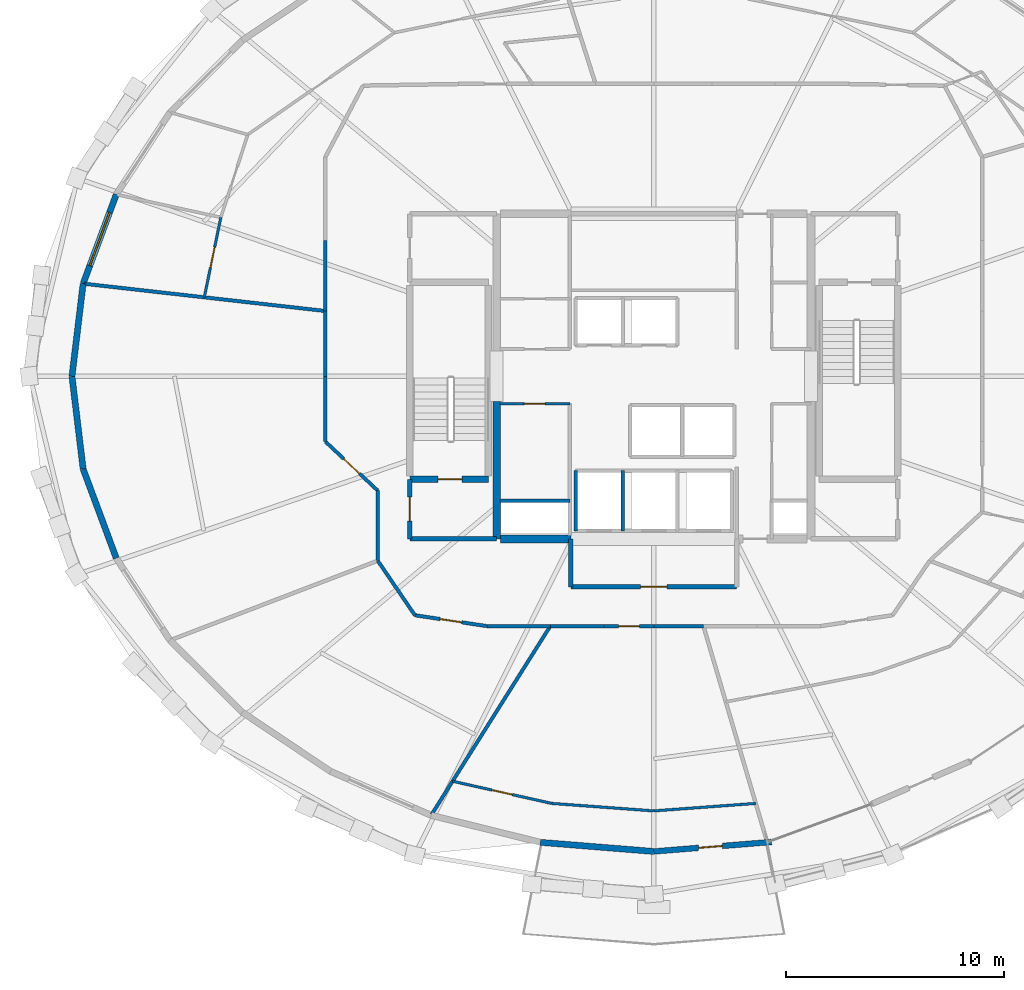
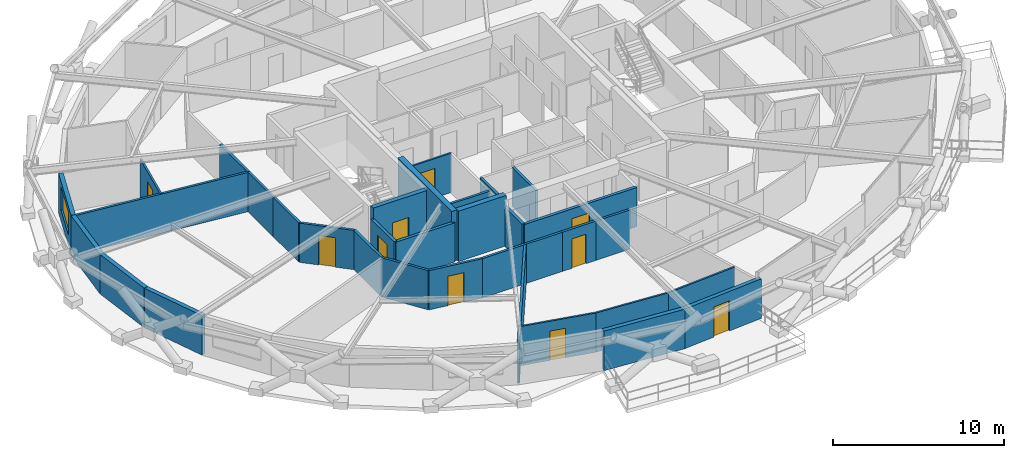
# One storey, part 7 of 12: 34 walls, 10 doors, 1 window, 11 openings.
"""IFC4 building model written with IfcOpenShell, lengths in metres."""

from ifc_helpers import new_model, si_unit, direction, frame, frame_2d, origin, place, context, subcontext, project, spatial, rectangle, extrude, material, layer, layer_set, type_object, element, fill, save


model = new_model("IFC4")

# Units and contexts
model_context = context("Model", 3, precision=1e-05, world=origin(), true_north=direction((0.0, 1.0)))
body_context = subcontext(model_context, "Body", "Model", "MODEL_VIEW")
ifc_project = project(units=[si_unit("LENGTHUNIT", "METRE"), si_unit("AREAUNIT", "SQUARE_METRE"), si_unit("VOLUMEUNIT", "CUBIC_METRE"), si_unit("PLANEANGLEUNIT", "RADIAN"), si_unit("MASSUNIT", "GRAM", prefix="KILO")], contexts=[model_context])

# Site, building, storey
site_placement = place(None, origin())
site = spatial("IfcSite", under=ifc_project, at=site_placement, CompositionType="ELEMENT")
building_placement = place(site_placement, origin())
building = spatial("IfcBuilding", under=site, at=building_placement, Name="Veldorina Hangang Commons", CompositionType="ELEMENT")
storey_placement = place(building_placement, frame((0.0, 0.0, 124.39990234375)))
storey = spatial("IfcBuildingStorey", under=building, at=storey_placement, Name="L31", CompositionType="ELEMENT", Elevation=124.39990234375)

# Walls
ifc_material_1 = material(Name="Concrete C60/75", Category="concrete")
ifc_layer_1 = layer(ifc_material_1, 0.360107421875)
ifc_layer_set_1 = layer_set([ifc_layer_1], Name="Concrete C60/75")
wall_type_1 = type_object("IfcWallType", Name="CW-RC360-C60", PredefinedType="SHEAR", material=ifc_layer_set_1)
wall_1_placement = place(storey_placement, frame((24.800048828125, 16.550048828125, 0.0), z_axis=(0.0, 0.0, 1.0), x_axis=(0.0, 1.0, 0.0)))
element("IfcWall", 1, at=wall_1_placement, inside=storey, type_object=wall_type_1, Name="L31 W south core shear wall", PredefinedType="SHEAR", context=body_context, shape_type="SweptSolid", body=[
    extrude(rectangle(XDim=6.300048828125, YDim=0.360107421875, at=frame_2d((3.14990234375, 0.0))), origin(), (0.0, 0.0, 1.0), 3.60009765625),
])
wall_2_placement = place(storey_placement, frame((24.97998046875, 16.550048828125, 0.0), z_axis=(0.0, 0.0, 1.0), x_axis=(1.0, 0.0, 0.0)))
element("IfcWall", 2, at=wall_2_placement, inside=storey, type_object=wall_type_1, Name="L31 south-west core shear wall", PredefinedType="SHEAR", context=body_context, shape_type="SweptSolid", body=[
    extrude(rectangle(XDim=3.219970703125, YDim=0.360107421875, at=frame_2d((1.60986328125, 0.0))), origin(), (0.0, 0.0, 1.0), 3.60009765625),
])

# Wall, opening, door
ifc_material_2 = material(Name="Stone Roman Travertine", Category="masonry")
ifc_layer_2 = layer(ifc_material_2, 0.260009765625)
ifc_layer_set_2 = layer_set([ifc_layer_2], Name="Stone Roman Travertine")
wall_type_2 = type_object("IfcWallType", Name="EW-LOGGIA-260", PredefinedType="STANDARD", material=ifc_layer_set_2)
wall_3_placement = place(storey_placement, frame((32.0, 2.221435546875, 0.0), z_axis=(0.0, 0.0, 1.0), x_axis=(0.996781807787, 0.080162507846, 0.0)))
wall_3 = element("IfcWall", 3, at=wall_3_placement, inside=storey, type_object=wall_type_2, Name="L31 sky-garden loggia portal wall 24", PredefinedType="STANDARD", context=body_context, shape_type="SweptSolid", body=[
    extrude(rectangle(XDim=5.41796875, YDim=0.260009765625, at=frame_2d((2.708984375, 0.0))), origin(), (0.0, 0.0, 1.0), 2.820068359375),
])
opening_1_placement = place(wall_3_placement, frame((2.0595703125, 0.0, 0.0)))
opening_1 = element("IfcOpeningElement", 4, at=opening_1_placement, cuts=wall_3, Name="Opening BD-1100", PredefinedType="OPENING", context=body_context, shape_type="SweptSolid", body=[
    extrude(rectangle(XDim=1.10009765625, YDim=2.14990234375, at=frame_2d((0.550048828125, 1.074951171875))), frame((0.0, 0.14013671875, 0.0), z_axis=(0.0, -1.0, 0.0), x_axis=(1.0, 0.0, 0.0)), (0.0, 0.0, 1.0), 0.280029296875),
])
ifc_material_3 = material(Name="Glass Thermal Aluminium Frame", Category="aluminium")
door_type_1 = type_object("IfcDoorType", Name="DR-EXT-BAL1100", OperationType="SINGLE_SWING_RIGHT", PredefinedType="DOOR", material=ifc_material_3)
door_1_placement = place(opening_1_placement, origin())
door_1 = element("IfcDoor", 5, at=door_1_placement, inside=storey, type_object=door_type_1, Name="L31 tree balcony glazed exterior door 24", OperationType="SINGLE_SWING_LEFT", OverallHeight=2.14990234375, OverallWidth=1.10009765625, PredefinedType="DOOR", context=body_context, shape_type="SweptSolid", body=[
    extrude(rectangle(XDim=1.10009765625, YDim=2.14990234375, at=frame_2d((0.550048828125, 1.074951171875))), frame((0.0, 0.02490234375, 0.0), z_axis=(0.0, -1.0, 0.0), x_axis=(1.0, 0.0, 0.0)), (0.0, 0.0, 1.0), 0.050048828125),
])
fill(opening_1, door_1)

# Wall, opening, window
ifc_layer_3 = layer(ifc_material_2, 0.280029296875)
ifc_layer_set_3 = layer_set([ifc_layer_3], Name="Stone Roman Travertine")
wall_type_3 = type_object("IfcWallType", Name="EW-TRAV-280", PredefinedType="STANDARD", material=ifc_layer_set_3)
wall_4_placement = place(storey_placement, frame((7.36328125, 32.334228515625, 0.0), z_axis=(0.0, 0.0, 1.0), x_axis=(-0.348211846364, -0.937415868253, 0.0)))
wall_4 = element("IfcWall", 6, at=wall_4_placement, inside=storey, type_object=wall_type_3, Name="L31 travertine facade wall 14", PredefinedType="STANDARD", context=body_context, shape_type="SweptSolid", body=[
    extrude(rectangle(XDim=4.358154296875, YDim=0.280029296875, at=frame_2d((2.17919921875, 0.0))), origin(), (0.0, 0.0, 1.0), 2.820068359375),
])
opening_2_placement = place(wall_4_placement, frame((0.879150390625, 0.0, 0.800048828125)))
opening_2 = element("IfcOpeningElement", 7, at=opening_2_placement, cuts=wall_4, Name="Opening W-02", PredefinedType="OPENING", context=body_context, shape_type="SweptSolid", body=[
    extrude(rectangle(XDim=2.60009765625, YDim=1.64990234375, at=frame_2d((1.300048828125, 0.824951171875))), frame((0.0, 0.14990234375, 0.0), z_axis=(0.0, -1.0, 0.0), x_axis=(1.0, 0.0, 0.0)), (0.0, 0.0, 1.0), 0.300048828125),
])
ifc_material_4 = material(Name="Glass Low-E Triple IGU", Category="glass")
window_type = type_object("IfcWindowType", Name="WIN-TWR-2600", PartitioningType="SINGLE_PANEL", PredefinedType="WINDOW", material=ifc_material_4)
window_placement = place(opening_2_placement, origin())
window = element("IfcWindow", 8, at=window_placement, inside=storey, type_object=window_type, Name="L31 facade window 14", OverallHeight=1.64990234375, OverallWidth=2.60009765625, PartitioningType="SINGLE_PANEL", PredefinedType="WINDOW", context=body_context, shape_type="SweptSolid", body=[
    extrude(rectangle(XDim=2.60009765625, YDim=1.64990234375, at=frame_2d((1.300048828125, 0.824951171875))), frame((0.0, 0.030029296875, 0.0), z_axis=(0.0, -1.0, 0.0), x_axis=(1.0, 0.0, 0.0)), (0.0, 0.0, 1.0), 0.06005859375),
])
fill(opening_2, window)

# Walls
for number, where, z_axis, x_axis, name in (
    (9, (5.845703125, 28.248779296875, 0.0), (0.0, 0.0, 1.0), (-0.119687341708, -0.992811633813, 0.0), "L31 travertine facade wall 15"),
    (10, (5.33349609375, 24.0, 0.0), (0.0, 0.0, 1.0), (0.119687341708, -0.992811633813, 0.0), "L31 travertine facade wall 16"),
):
    element("IfcWall", number, at=place(storey_placement, frame(where, z_axis=z_axis, x_axis=x_axis)), inside=storey, type_object=wall_type_3, Name=name, PredefinedType="STANDARD", context=body_context, shape_type="SweptSolid", body=[
        extrude(rectangle(XDim=4.279541015625, YDim=0.280029296875, at=frame_2d((2.1396484375, 0.0))), origin(), (0.0, 0.0, 1.0), 2.820068359375),
    ])
wall_5_placement = place(storey_placement, frame((5.845703125, 19.751220703125, 0.0), z_axis=(0.0, 0.0, 1.0), x_axis=(0.348211846364, -0.937415868253, 0.0)))
element("IfcWall", 11, at=wall_5_placement, inside=storey, type_object=wall_type_3, Name="L31 travertine facade wall 17", PredefinedType="STANDARD", context=body_context, shape_type="SweptSolid", body=[
    extrude(rectangle(XDim=4.358154296875, YDim=0.280029296875, at=frame_2d((2.17919921875, 0.0))), origin(), (0.0, 0.0, 1.0), 2.820068359375),
])
wall_6_placement = place(storey_placement, frame((26.797607421875, 2.639892578125, 0.0), z_axis=(0.0, 0.0, 1.0), x_axis=(0.996780678479, -0.080176549013, 0.0)))
element("IfcWall", 12, at=wall_6_placement, inside=storey, type_object=wall_type_3, Name="L31 travertine facade wall 23", PredefinedType="STANDARD", context=body_context, shape_type="SweptSolid", body=[
    extrude(rectangle(XDim=5.21923828125, YDim=0.280029296875, at=frame_2d((2.609619140625, 0.0))), origin(), (0.0, 0.0, 1.0), 2.820068359375),
])

# Wall, opening, door
ifc_material_5 = material(Name="Concrete C50/60", Category="concrete")
ifc_layer_4 = layer(ifc_material_5, 0.300048828125)
ifc_layer_set_4 = layer_set([ifc_layer_4], Name="Concrete C50/60")
wall_type_4 = type_object("IfcWallType", Name="SW-STAIR-300", PredefinedType="SHEAR", material=ifc_layer_set_4)
wall_7_placement = place(storey_placement, frame((20.820068359375, 19.280029296875, 0.0), z_axis=(0.0, 0.0, 1.0), x_axis=(1.0, 0.0, 0.0)))
wall_7 = element("IfcWall", 13, at=wall_7_placement, inside=storey, type_object=wall_type_4, Name="L31 ST1 south stair shear wall", PredefinedType="SHEAR", context=body_context, shape_type="SweptSolid", body=[
    extrude(rectangle(XDim=3.599853515625, YDim=0.300048828125, at=frame_2d((1.7998046875, 0.0))), origin(), (0.0, 0.0, 1.0), 3.60009765625),
])
opening_3_placement = place(wall_7_placement, frame((1.300048828125, 0.0, 0.0)))
opening_3 = element("IfcOpeningElement", 14, at=opening_3_placement, cuts=wall_7, Name="Opening D-08", PredefinedType="OPENING", context=body_context, shape_type="SweptSolid", body=[
    extrude(rectangle(XDim=1.10009765625, YDim=2.10009765625, at=frame_2d((0.550048828125, 1.050048828125))), frame((0.0, 0.16015625, 0.0), z_axis=(0.0, -1.0, 0.0), x_axis=(1.0, 0.0, 0.0)), (0.0, 0.0, 1.0), 0.320068359375),
])
ifc_material_6 = material(Name="Steel Fire-Rated Smoke Seal", Category="steel")
door_type_2 = type_object("IfcDoorType", Name="DR-FIRE-1100", OperationType="SINGLE_SWING_RIGHT", PredefinedType="DOOR", material=ifc_material_6)
door_2_placement = place(opening_3_placement, origin())
door_2 = element("IfcDoor", 15, at=door_2_placement, inside=storey, type_object=door_type_2, Name="L31 Special Escape Stair ST-1 door", OperationType="SINGLE_SWING_LEFT", OverallHeight=2.10009765625, OverallWidth=1.10009765625, PredefinedType="DOOR", context=body_context, shape_type="SweptSolid", body=[
    extrude(rectangle(XDim=1.10009765625, YDim=2.10009765625, at=frame_2d((0.550048828125, 1.050048828125))), frame((0.0, 0.02490234375, 0.0), z_axis=(0.0, -1.0, 0.0), x_axis=(1.0, 0.0, 0.0)), (0.0, 0.0, 1.0), 0.050048828125),
])
fill(opening_3, door_2)

# Walls
ifc_material_7 = material(Name="Gypsum Fire-Rated Twin Stud Wall", Category="gypsum")
ifc_layer_5 = layer(ifc_material_7, 0.159912109375)
ifc_layer_set_5 = layer_set([ifc_layer_5], Name="Gypsum Fire-Rated Twin Stud Wall")
wall_type_5 = type_object("IfcWallType", Name="WL-FIRE-160", PredefinedType="SOLIDWALL", material=ifc_layer_set_5)
for number, where, z_axis, x_axis, name in (
    (16, (28.419921875, 16.919921875, 0.0), (0.0, 0.0, 1.0), (0.0, 1.0, 0.0), "L31 FFL-1 west shaft wall 027"),
    (17, (30.580078125, 16.919921875, 0.0), (0.0, 0.0, 1.0), (0.0, 1.0, 0.0), "L31 FFL-1 east shaft wall 028"),
):
    element("IfcWall", number, at=place(storey_placement, frame(where, z_axis=z_axis, x_axis=x_axis)), inside=storey, type_object=wall_type_5, Name=name, PredefinedType="SOLIDWALL", context=body_context, shape_type="SweptSolid", body=[
        extrude(rectangle(XDim=2.760009765625, YDim=0.159912109375, at=frame_2d((1.3798828125, 0.0))), origin(), (0.0, 0.0, 1.0), 2.800048828125),
    ])
wall_8_placement = place(storey_placement, frame((24.949951171875, 18.300048828125, 0.0), z_axis=(0.0, 0.0, 1.0), x_axis=(1.0, 0.0, 0.0)))
element("IfcWall", 18, at=wall_8_placement, inside=storey, type_object=wall_type_5, Name="L31 Electrical riser wall 034", PredefinedType="SOLIDWALL", context=body_context, shape_type="SweptSolid", body=[
    extrude(rectangle(XDim=3.199951171875, YDim=0.159912109375, at=frame_2d((1.60009765625, 0.0))), origin(), (0.0, 0.0, 1.0), 2.800048828125),
])
wall_9_placement = place(storey_placement, frame((16.949951171875, 30.23388671875, 0.0), z_axis=(0.0, 0.0, 1.0), x_axis=(0.0, -1.0, 0.0)))
element("IfcWall", 19, at=wall_9_placement, inside=storey, type_object=wall_type_5, Name="L31 U-corridor outer wall 14 060", PredefinedType="SOLIDWALL", context=body_context, shape_type="SweptSolid", body=[
    extrude(rectangle(XDim=3.240234375, YDim=0.159912109375, at=frame_2d((1.6201171875, 0.0))), origin(), (0.0, 0.0, 1.0), 2.800048828125),
])
for number, where, z_axis, x_axis, name in (
    (20, (16.949951171875, 26.99365234375, 0.0), (0.0, 0.0, 1.0), (0.0, -1.0, 0.0), "L31 U-corridor outer wall 15 061"),
    (21, (16.949951171875, 24.0, 0.0), (0.0, 0.0, 1.0), (0.0, -1.0, 0.0), "L31 U-corridor outer wall 16 062"),
):
    element("IfcWall", number, at=place(storey_placement, frame(where, z_axis=z_axis, x_axis=x_axis)), inside=storey, type_object=wall_type_5, Name=name, PredefinedType="SOLIDWALL", context=body_context, shape_type="SweptSolid", body=[
        extrude(rectangle(XDim=2.99365234375, YDim=0.159912109375, at=frame_2d((1.496826171875, 0.0))), origin(), (0.0, 0.0, 1.0), 2.800048828125),
    ])

# Wall, opening, door
wall_10_placement = place(storey_placement, frame((16.949951171875, 21.00634765625, 0.0), z_axis=(0.0, 0.0, 1.0), x_axis=(0.730150682073, -0.683286163674, 0.0)))
wall_10 = element("IfcWall", 22, at=wall_10_placement, inside=storey, type_object=wall_type_5, Name="L31 U-corridor outer wall 17 063", PredefinedType="SOLIDWALL", context=body_context, shape_type="SweptSolid", body=[
    extrude(rectangle(XDim=3.287109375, YDim=0.159912109375, at=frame_2d((1.6435546875, 0.0))), origin(), (0.0, 0.0, 1.0), 2.800048828125),
])
opening_4_placement = place(wall_10_placement, frame((1.1435546875, 0.0, 0.0)))
opening_4 = element("IfcOpeningElement", 23, at=opening_4_placement, cuts=wall_10, Name="Opening D-05", PredefinedType="OPENING", context=body_context, shape_type="SweptSolid", body=[
    extrude(rectangle(XDim=1.0, YDim=2.10009765625, at=frame_2d((0.5, 1.050048828125))), frame((0.0, 0.08984375, 0.0), z_axis=(0.0, -1.0, 0.0), x_axis=(1.0, 0.0, 0.0)), (0.0, 0.0, 1.0), 0.179931640625),
])
ifc_material_8 = material(Name="Timber Solid Core Acoustic", Category="wood")
door_type_3 = type_object("IfcDoorType", Name="DR-INT-1000", OperationType="SINGLE_SWING_RIGHT", PredefinedType="DOOR", material=ifc_material_8)
door_3_placement = place(opening_4_placement, origin())
door_3 = element("IfcDoor", 24, at=door_3_placement, inside=storey, type_object=door_type_3, Name="L31 Floor Study Room 5 door 040", OperationType="SINGLE_SWING_RIGHT", OverallHeight=2.10009765625, OverallWidth=1.0, PredefinedType="DOOR", context=body_context, shape_type="SweptSolid", body=[
    extrude(rectangle(XDim=1.0, YDim=2.10009765625, at=frame_2d((0.5, 1.050048828125))), frame((0.0, 0.02490234375, 0.0), z_axis=(0.0, -1.0, 0.0), x_axis=(1.0, 0.0, 0.0)), (0.0, 0.0, 1.0), 0.050048828125),
])
fill(opening_4, door_3)

# Walls
wall_11_placement = place(storey_placement, frame((19.35009765625, 18.76025390625, 0.0), z_axis=(0.0, 0.0, 1.0), x_axis=(0.0, -1.0, 0.0)))
element("IfcWall", 25, at=wall_11_placement, inside=storey, type_object=wall_type_5, Name="L31 U-corridor outer wall 18 064", PredefinedType="SOLIDWALL", context=body_context, shape_type="SweptSolid", body=[
    extrude(rectangle(XDim=3.212646484375, YDim=0.159912109375, at=frame_2d((1.6064453125, 0.0))), origin(), (0.0, 0.0, 1.0), 2.800048828125),
])
wall_12_placement = place(storey_placement, frame((19.35009765625, 15.547607421875, 0.0), z_axis=(0.0, 0.0, 1.0), x_axis=(0.562674669208, -0.826678423955, 0.0)))
element("IfcWall", 26, at=wall_12_placement, inside=storey, type_object=wall_type_5, Name="L31 U-corridor outer wall 19 065", PredefinedType="SOLIDWALL", context=body_context, shape_type="SweptSolid", body=[
    extrude(rectangle(XDim=3.021240234375, YDim=0.159912109375, at=frame_2d((1.5107421875, 0.0))), origin(), (0.0, 0.0, 1.0), 2.800048828125),
])

# Wall, opening, door
wall_13_placement = place(storey_placement, frame((21.050048828125, 13.050048828125, 0.0), z_axis=(0.0, 0.0, 1.0), x_axis=(0.988710906508, -0.149835721217, 0.0)))
wall_13 = element("IfcWall", 27, at=wall_13_placement, inside=storey, type_object=wall_type_5, Name="L31 U-corridor outer wall 20 066", PredefinedType="SOLIDWALL", context=body_context, shape_type="SweptSolid", body=[
    extrude(rectangle(XDim=3.3369140625, YDim=0.159912109375, at=frame_2d((1.66845703125, 0.0))), origin(), (0.0, 0.0, 1.0), 2.800048828125),
])
opening_5_placement = place(wall_13_placement, frame((1.16845703125, 0.0, 0.0)))
opening_5 = element("IfcOpeningElement", 28, at=opening_5_placement, cuts=wall_13, Name="Opening D-05", PredefinedType="OPENING", context=body_context, shape_type="SweptSolid", body=[
    extrude(rectangle(XDim=1.0, YDim=2.10009765625, at=frame_2d((0.5, 1.050048828125))), frame((0.0, 0.08984375, 0.0), z_axis=(0.0, -1.0, 0.0), x_axis=(1.0, 0.0, 0.0)), (0.0, 0.0, 1.0), 0.179931640625),
])
door_4_placement = place(opening_5_placement, origin())
door_4 = element("IfcDoor", 29, at=door_4_placement, inside=storey, type_object=door_type_3, Name="L31 Seminar Focus Room 6 door 041", OperationType="SINGLE_SWING_LEFT", OverallHeight=2.10009765625, OverallWidth=1.0, PredefinedType="DOOR", context=body_context, shape_type="SweptSolid", body=[
    extrude(rectangle(XDim=1.0, YDim=2.10009765625, at=frame_2d((0.5, 1.050048828125))), frame((0.0, 0.02490234375, 0.0), z_axis=(0.0, -1.0, 0.0), x_axis=(1.0, 0.0, 0.0)), (0.0, 0.0, 1.0), 0.050048828125),
])
fill(opening_5, door_4)

# Walls
wall_14_placement = place(storey_placement, frame((24.349365234375, 12.550048828125, 0.0), z_axis=(0.0, 0.0, 1.0), x_axis=(1.0, 0.0, 0.0)))
element("IfcWall", 30, at=wall_14_placement, inside=storey, type_object=wall_type_5, Name="L31 U-corridor outer wall 21 067", PredefinedType="SOLIDWALL", context=body_context, shape_type="SweptSolid", body=[
    extrude(rectangle(XDim=2.907958984375, YDim=0.159912109375, at=frame_2d((1.4541015625, 0.0))), origin(), (0.0, 0.0, 1.0), 2.800048828125),
])
wall_15_placement = place(storey_placement, frame((27.25732421875, 12.550048828125, 0.0), z_axis=(0.0, 0.0, 1.0), x_axis=(1.0, 0.0, 0.0)))
element("IfcWall", 31, at=wall_15_placement, inside=storey, type_object=wall_type_5, Name="L31 U-corridor outer wall 22 068", PredefinedType="SOLIDWALL", context=body_context, shape_type="SweptSolid", body=[
    extrude(rectangle(XDim=2.465087890625, YDim=0.159912109375, at=frame_2d((1.232421875, 0.0))), origin(), (0.0, 0.0, 1.0), 2.800048828125),
])

# Wall, opening, door
wall_16_placement = place(storey_placement, frame((29.722412109375, 12.550048828125, 0.0), z_axis=(0.0, 0.0, 1.0), x_axis=(1.0, 0.0, 0.0)))
wall_16 = element("IfcWall", 32, at=wall_16_placement, inside=storey, type_object=wall_type_5, Name="L31 U-corridor outer wall 23 069", PredefinedType="SOLIDWALL", context=body_context, shape_type="SweptSolid", body=[
    extrude(rectangle(XDim=2.277587890625, YDim=0.159912109375, at=frame_2d((1.138671875, 0.0))), origin(), (0.0, 0.0, 1.0), 2.800048828125),
])
opening_6_placement = place(wall_16_placement, frame((0.663818359375, 0.0, 0.0)))
opening_6 = element("IfcOpeningElement", 33, at=opening_6_placement, cuts=wall_16, Name="Opening D-02", PredefinedType="OPENING", context=body_context, shape_type="SweptSolid", body=[
    extrude(rectangle(XDim=0.949951171875, YDim=2.10009765625, at=frame_2d((0.47509765625, 1.050048828125))), frame((0.0, 0.08984375, 0.0), z_axis=(0.0, -1.0, 0.0), x_axis=(1.0, 0.0, 0.0)), (0.0, 0.0, 1.0), 0.179931640625),
])
door_type_4 = type_object("IfcDoorType", Name="DR-INT-950", OperationType="SINGLE_SWING_LEFT", PredefinedType="DOOR", material=ifc_material_8)
door_5_placement = place(opening_6_placement, origin())
door_5 = element("IfcDoor", 34, at=door_5_placement, inside=storey, type_object=door_type_4, Name="L31 Linen drying store door 042", OperationType="SINGLE_SWING_RIGHT", OverallHeight=2.10009765625, OverallWidth=0.949951171875, PredefinedType="DOOR", context=body_context, shape_type="SweptSolid", body=[
    extrude(rectangle(XDim=0.949951171875, YDim=2.10009765625, at=frame_2d((0.47509765625, 1.050048828125))), frame((0.0, 0.02490234375, 0.0), z_axis=(0.0, -1.0, 0.0), x_axis=(1.0, 0.0, 0.0)), (0.0, 0.0, 1.0), 0.050048828125),
])
fill(opening_6, door_5)

# Walls
wall_17_placement = place(storey_placement, frame((32.0, 12.550048828125, 0.0), z_axis=(0.0, 0.0, 1.0), x_axis=(1.0, 0.0, 0.0)))
element("IfcWall", 35, at=wall_17_placement, inside=storey, type_object=wall_type_5, Name="L31 U-corridor outer wall 24 070", PredefinedType="SOLIDWALL", context=body_context, shape_type="SweptSolid", body=[
    extrude(rectangle(XDim=2.277587890625, YDim=0.159912109375, at=frame_2d((1.138671875, 0.0))), origin(), (0.0, 0.0, 1.0), 2.800048828125),
])
wall_18_placement = place(storey_placement, frame((16.949951171875, 26.99365234375, 0.0), z_axis=(0.0, 0.0, 1.0), x_axis=(-0.993672392065, 0.112317306093, 0.0)))
element("IfcWall", 36, at=wall_18_placement, inside=storey, type_object=wall_type_5, Name="L31 Unit party wall 15 117", PredefinedType="SOLIDWALL", context=body_context, shape_type="SweptSolid", body=[
    extrude(rectangle(XDim=11.124755859375, YDim=0.159912109375, at=frame_2d((5.5625, 0.0))), origin(), (0.0, 0.0, 1.0), 2.800048828125),
])
wall_19_placement = place(storey_placement, frame((27.25732421875, 12.550048828125, 0.0), z_axis=(0.0, 0.0, 1.0), x_axis=(-0.533001837462, -0.846114082888, 0.0)))
element("IfcWall", 37, at=wall_19_placement, inside=storey, type_object=wall_type_5, Name="L31 Unit party wall 22 119", PredefinedType="SOLIDWALL", context=body_context, shape_type="SweptSolid", body=[
    extrude(rectangle(XDim=10.197998046875, YDim=0.159912109375, at=frame_2d((5.09912109375, 0.0))), origin(), (0.0, 0.0, 1.0), 2.800048828125),
])

# Wall, opening, door
ifc_material_9 = material(Name="Concrete Blockwork Fire Wall C30/37", Category="masonry")
ifc_layer_6 = layer(ifc_material_9, 0.199951171875)
ifc_layer_set_6 = layer_set([ifc_layer_6], Name="Concrete Blockwork Fire Wall C30/37")
wall_type_6 = type_object("IfcWallType", Name="WL-FIRE-200", PredefinedType="SOLIDWALL", material=ifc_layer_set_6)
wall_20_placement = place(storey_placement, frame((20.820068359375, 16.550048828125, 0.0), z_axis=(0.0, 0.0, 1.0), x_axis=(0.0, 1.0, 0.0)))
wall_20 = element("IfcWall", 38, at=wall_20_placement, inside=storey, type_object=wall_type_6, Name="L31 West vestibule outer wall 001", PredefinedType="SOLIDWALL", context=body_context, shape_type="SweptSolid", body=[
    extrude(rectangle(XDim=2.72998046875, YDim=0.199951171875, at=frame_2d((1.364990234375, 0.0))), origin(), (0.0, 0.0, 1.0), 2.800048828125),
])
opening_7_placement = place(wall_20_placement, frame((0.81494140625, 0.0, 0.0)))
opening_7 = element("IfcOpeningElement", 39, at=opening_7_placement, cuts=wall_20, Name="Opening D-08", PredefinedType="OPENING", context=body_context, shape_type="SweptSolid", body=[
    extrude(rectangle(XDim=1.10009765625, YDim=2.10009765625, at=frame_2d((0.550048828125, 1.050048828125))), frame((0.0, 0.10986328125, 0.0), z_axis=(0.0, -1.0, 0.0), x_axis=(1.0, 0.0, 0.0)), (0.0, 0.0, 1.0), 0.219970703125),
])
door_6_placement = place(opening_7_placement, origin())
door_6 = element("IfcDoor", 40, at=door_6_placement, inside=storey, type_object=door_type_2, Name="L31 West vestibule west door 001", OperationType="SINGLE_SWING_LEFT", OverallHeight=2.10009765625, OverallWidth=1.10009765625, PredefinedType="DOOR", context=body_context, shape_type="SweptSolid", body=[
    extrude(rectangle(XDim=1.10009765625, YDim=2.10009765625, at=frame_2d((0.550048828125, 1.050048828125))), frame((0.0, 0.02490234375, 0.0), z_axis=(0.0, -1.0, 0.0), x_axis=(1.0, 0.0, 0.0)), (0.0, 0.0, 1.0), 0.050048828125),
])
fill(opening_7, door_6)

# Walls
wall_21_placement = place(storey_placement, frame((20.820068359375, 16.550048828125, 0.0), z_axis=(0.0, 0.0, 1.0), x_axis=(1.0, 0.0, 0.0)))
element("IfcWall", 41, at=wall_21_placement, inside=storey, type_object=wall_type_6, Name="L31 West vestibule south wall 002", PredefinedType="SOLIDWALL", context=body_context, shape_type="SweptSolid", body=[
    extrude(rectangle(XDim=3.97998046875, YDim=0.199951171875, at=frame_2d((1.989990234375, 0.0))), origin(), (0.0, 0.0, 1.0), 2.800048828125),
])
wall_22_placement = place(storey_placement, frame((28.199951171875, 14.35009765625, 0.0), z_axis=(0.0, 0.0, 1.0), x_axis=(0.0, 1.0, 0.0)))
element("IfcWall", 42, at=wall_22_placement, inside=storey, type_object=wall_type_6, Name="L31 FF lobby west wall 012", PredefinedType="SOLIDWALL", context=body_context, shape_type="SweptSolid", body=[
    extrude(rectangle(XDim=2.199951171875, YDim=0.199951171875, at=frame_2d((1.10009765625, 0.0))), origin(), (0.0, 0.0, 1.0), 2.800048828125),
])

# Wall, opening, door
wall_23_placement = place(storey_placement, frame((28.199951171875, 14.35009765625, 0.0), z_axis=(0.0, 0.0, 1.0), x_axis=(1.0, 0.0, 0.0)))
wall_23 = element("IfcWall", 43, at=wall_23_placement, inside=storey, type_object=wall_type_6, Name="L31 FF lobby south wall 014", PredefinedType="SOLIDWALL", context=body_context, shape_type="SweptSolid", body=[
    extrude(rectangle(XDim=7.60009765625, YDim=0.199951171875, at=frame_2d((3.800048828125, 0.0))), origin(), (0.0, 0.0, 1.0), 2.800048828125),
])
opening_8_placement = place(wall_23_placement, frame((3.199951171875, 0.0, 0.0)))
opening_8 = element("IfcOpeningElement", 44, at=opening_8_placement, cuts=wall_23, Name="Opening D-09", PredefinedType="OPENING", context=body_context, shape_type="SweptSolid", body=[
    extrude(rectangle(XDim=1.199951171875, YDim=2.10009765625, at=frame_2d((0.60009765625, 1.050048828125))), frame((0.0, 0.10986328125, 0.0), z_axis=(0.0, -1.0, 0.0), x_axis=(1.0, 0.0, 0.0)), (0.0, 0.0, 1.0), 0.219970703125),
])
ifc_material_10 = material(Name="Steel Fire-Rated Corridor Door", Category="steel")
door_type_5 = type_object("IfcDoorType", Name="DR-FIRE-1200", OperationType="SINGLE_SWING_LEFT", PredefinedType="DOOR", material=ifc_material_10)
door_7_placement = place(opening_8_placement, origin())
door_7 = element("IfcDoor", 45, at=door_7_placement, inside=storey, type_object=door_type_5, Name="L31 FF lobby south corridor door 005", OperationType="SINGLE_SWING_LEFT", OverallHeight=2.10009765625, OverallWidth=1.199951171875, PredefinedType="DOOR", context=body_context, shape_type="SweptSolid", body=[
    extrude(rectangle(XDim=1.199951171875, YDim=2.10009765625, at=frame_2d((0.60009765625, 1.050048828125))), frame((0.0, 0.02490234375, 0.0), z_axis=(0.0, -1.0, 0.0), x_axis=(1.0, 0.0, 0.0)), (0.0, 0.0, 1.0), 0.050048828125),
])
fill(opening_8, door_7)

ifc_material_11 = material(Name="Gypsum Acoustic Stud Partition", Category="gypsum")
ifc_layer_7 = layer(ifc_material_11, 0.1201171875)
ifc_layer_set_7 = layer_set([ifc_layer_7], Name="Gypsum Acoustic Stud Partition")
wall_type_7 = type_object("IfcWallType", Name="WL-PART-120", PredefinedType="PARTITIONING", material=ifc_layer_set_7)
wall_24_placement = place(storey_placement, frame((24.949951171875, 22.75, 0.0), z_axis=(0.0, 0.0, 1.0), x_axis=(1.0, 0.0, 0.0)))
wall_24 = element("IfcWall", 46, at=wall_24_placement, inside=storey, type_object=wall_type_7, Name="L31 SW service north wall 039", PredefinedType="PARTITIONING", context=body_context, shape_type="SweptSolid", body=[
    extrude(rectangle(XDim=3.199951171875, YDim=0.1201171875, at=frame_2d((1.60009765625, 0.0))), origin(), (0.0, 0.0, 1.0), 2.800048828125),
])
opening_9_placement = place(wall_24_placement, frame((1.125, 0.0, 0.0)))
opening_9 = element("IfcOpeningElement", 47, at=opening_9_placement, cuts=wall_24, Name="Opening D-02", PredefinedType="OPENING", context=body_context, shape_type="SweptSolid", body=[
    extrude(rectangle(XDim=0.949951171875, YDim=2.10009765625, at=frame_2d((0.47509765625, 1.050048828125))), frame((0.0, 0.070068359375, 0.0), z_axis=(0.0, -1.0, 0.0), x_axis=(1.0, 0.0, 0.0)), (0.0, 0.0, 1.0), 0.14013671875),
])
door_8_placement = place(opening_9_placement, origin())
door_8 = element("IfcDoor", 48, at=door_8_placement, inside=storey, type_object=door_type_4, Name="L31 Waste sorting door 014", OperationType="SINGLE_SWING_RIGHT", OverallHeight=2.10009765625, OverallWidth=0.949951171875, PredefinedType="DOOR", context=body_context, shape_type="SweptSolid", body=[
    extrude(rectangle(XDim=0.949951171875, YDim=2.10009765625, at=frame_2d((0.47509765625, 1.050048828125))), frame((0.0, 0.02490234375, 0.0), z_axis=(0.0, -1.0, 0.0), x_axis=(1.0, 0.0, 0.0)), (0.0, 0.0, 1.0), 0.050048828125),
])
fill(opening_9, door_8)

wall_25_placement = place(storey_placement, frame((12.156494140625, 31.2841796875, 0.0), z_axis=(0.0, 0.0, 1.0), x_axis=(-0.202776091782, -0.979225130704, 0.0)))
wall_25 = element("IfcWall", 49, at=wall_25_placement, inside=storey, type_object=wall_type_7, Name="L31 Cluster 4 bed 4 front wall 115", PredefinedType="PARTITIONING", context=body_context, shape_type="SweptSolid", body=[
    extrude(rectangle(XDim=3.74072265625, YDim=0.1201171875, at=frame_2d((1.870361328125, 0.0))), origin(), (0.0, 0.0, 1.0), 2.800048828125),
])
opening_10_placement = place(wall_25_placement, frame((1.395263671875, 0.0, 0.0)))
opening_10 = element("IfcOpeningElement", 50, at=opening_10_placement, cuts=wall_25, Name="Opening D-02", PredefinedType="OPENING", context=body_context, shape_type="SweptSolid", body=[
    extrude(rectangle(XDim=0.949951171875, YDim=2.10009765625, at=frame_2d((0.47509765625, 1.050048828125))), frame((0.0, 0.070068359375, 0.0), z_axis=(0.0, -1.0, 0.0), x_axis=(1.0, 0.0, 0.0)), (0.0, 0.0, 1.0), 0.14013671875),
])
door_9_placement = place(opening_10_placement, origin())
door_9 = element("IfcDoor", 51, at=door_9_placement, inside=storey, type_object=door_type_4, Name="L31 Cluster 4 bed 4 door 039", OperationType="SINGLE_SWING_LEFT", OverallHeight=2.10009765625, OverallWidth=0.949951171875, PredefinedType="DOOR", context=body_context, shape_type="SweptSolid", body=[
    extrude(rectangle(XDim=0.949951171875, YDim=2.10009765625, at=frame_2d((0.47509765625, 1.050048828125))), frame((0.0, 0.02490234375, 0.0), z_axis=(0.0, -1.0, 0.0), x_axis=(1.0, 0.0, 0.0)), (0.0, 0.0, 1.0), 0.050048828125),
])
fill(opening_10, door_9)

wall_26_placement = place(storey_placement, frame((22.7783203125, 5.43994140625, 0.0), z_axis=(0.0, 0.0, 1.0), x_axis=(0.975906307098, -0.218190008402, 0.0)))
wall_26 = element("IfcWall", 52, at=wall_26_placement, inside=storey, type_object=wall_type_7, Name="L31 Laundry split 0 120", PredefinedType="PARTITIONING", context=body_context, shape_type="SweptSolid", body=[
    extrude(rectangle(XDim=4.658203125, YDim=0.1201171875, at=frame_2d((2.3291015625, 0.0))), origin(), (0.0, 0.0, 1.0), 2.800048828125),
])
opening_11_placement = place(wall_26_placement, frame((1.85400390625, 0.0, 0.0)))
opening_11 = element("IfcOpeningElement", 53, at=opening_11_placement, cuts=wall_26, Name="Opening D-02", PredefinedType="OPENING", context=body_context, shape_type="SweptSolid", body=[
    extrude(rectangle(XDim=0.949951171875, YDim=2.10009765625, at=frame_2d((0.47509765625, 1.050048828125))), frame((0.0, 0.070068359375, 0.0), z_axis=(0.0, -1.0, 0.0), x_axis=(1.0, 0.0, 0.0)), (0.0, 0.0, 1.0), 0.14013671875),
])
door_10_placement = place(opening_11_placement, origin())
door_10 = element("IfcDoor", 54, at=door_10_placement, inside=storey, type_object=door_type_4, Name="L31 Resident laundry inner door 043", OperationType="SINGLE_SWING_LEFT", OverallHeight=2.10009765625, OverallWidth=0.949951171875, PredefinedType="DOOR", context=body_context, shape_type="SweptSolid", body=[
    extrude(rectangle(XDim=0.949951171875, YDim=2.10009765625, at=frame_2d((0.47509765625, 1.050048828125))), frame((0.0, 0.02490234375, 0.0), z_axis=(0.0, -1.0, 0.0), x_axis=(1.0, 0.0, 0.0)), (0.0, 0.0, 1.0), 0.050048828125),
])
fill(opening_11, door_10)

# Walls
for number, where, z_axis, x_axis, name in (
    (55, (27.32421875, 4.423583984375, 0.0), (0.0, 0.0, 1.0), (0.997319932427, -0.073163873489, 0.0), "L31 Laundry split 1 121"),
    (56, (32.0, 4.08056640625, 0.0), (0.0, 0.0, 1.0), (0.997319932427, 0.073163873489, 0.0), "L31 Laundry split 2 122"),
):
    element("IfcWall", number, at=place(storey_placement, frame(where, z_axis=z_axis, x_axis=x_axis)), inside=storey, type_object=wall_type_7, Name=name, PredefinedType="PARTITIONING", context=body_context, shape_type="SweptSolid", body=[
        extrude(rectangle(XDim=4.688232421875, YDim=0.1201171875, at=frame_2d((2.34423828125, 0.0))), origin(), (0.0, 0.0, 1.0), 2.800048828125),
    ])

save(model, "model.ifc")
